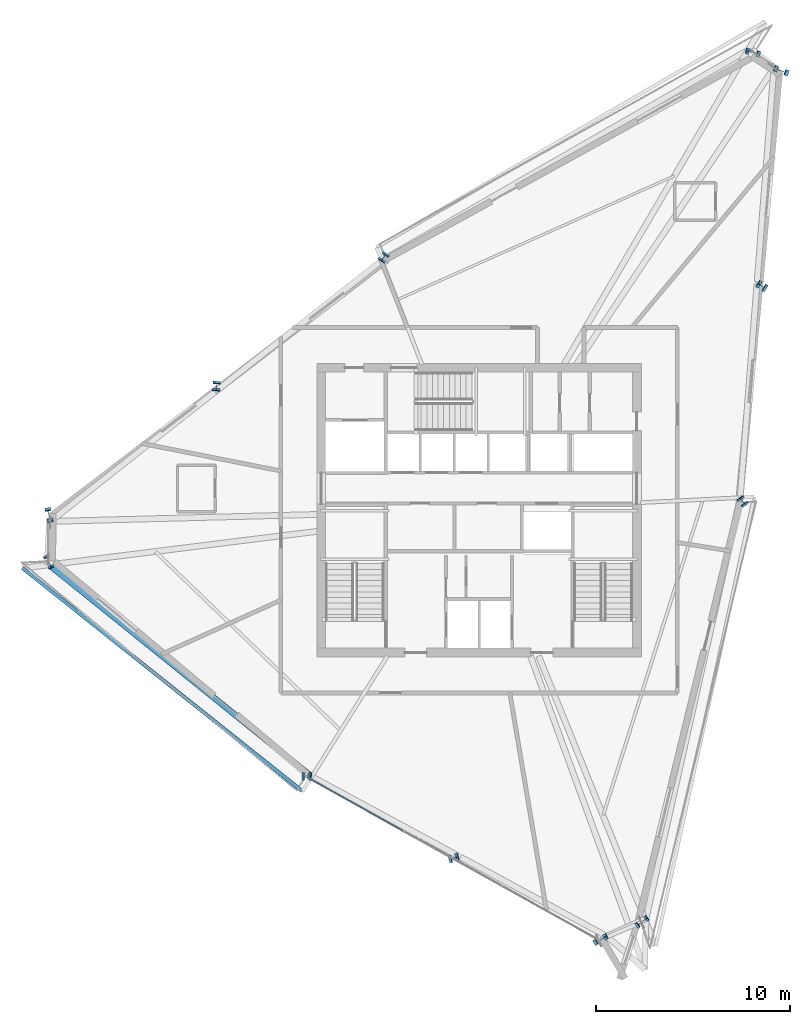
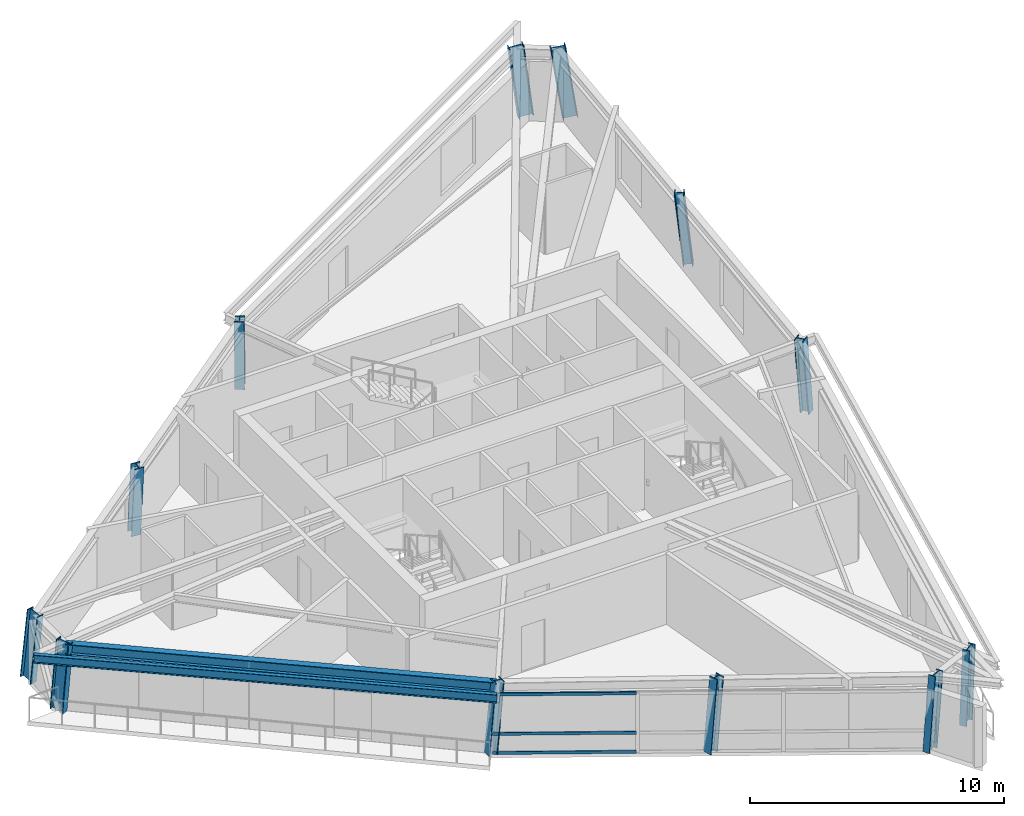
# One storey, part 1 of 13: 12 columns, 3 members, 2 beams, 1 element without a shape of its own.
"""IFC4 building model written with IfcOpenShell, lengths in metres."""

from ifc_helpers import new_model, si_unit, direction, frame, origin, origin_2d, place, context, subcontext, project, spatial, hollow_rectangle, i_section, extrude, source, transform, mapped, material, material_profile, profile_set, type_object, element, aggregate, save


model = new_model("IFC4")

# Units and contexts
model_context = context("Model", 3, precision=1e-05, world=origin(), true_north=direction((0.0, 1.0)))
body_context = subcontext(model_context, "Body", "Model", "MODEL_VIEW")
ifc_project = project(units=[si_unit("LENGTHUNIT", "METRE"), si_unit("AREAUNIT", "SQUARE_METRE"), si_unit("VOLUMEUNIT", "CUBIC_METRE"), si_unit("PLANEANGLEUNIT", "RADIAN"), si_unit("MASSUNIT", "GRAM", prefix="KILO")], contexts=[model_context])

# Site, building, storey
site_placement = place(None, origin())
site = spatial("IfcSite", under=ifc_project, at=site_placement, CompositionType="ELEMENT")
building_placement = place(site_placement, origin())
building = spatial("IfcBuilding", under=site, at=building_placement, Name="Olszyna Solenne Hotel", CompositionType="ELEMENT")
storey_placement = place(building_placement, frame((0.0, 0.0, 266.89990234375)))
storey = spatial("IfcBuildingStorey", under=building, at=storey_placement, Name="L71", CompositionType="ELEMENT", Elevation=266.89990234375)

# Columns
ifc_material_1 = material(Name="Steel S460M", Category="steel")
ifc_material_profile_1 = material_profile(ifc_material_1, i_section(OverallWidth=0.304931640625, OverallDepth=0.6201171875, WebThickness=0.02099609375, FlangeThickness=0.0400390625, at=origin_2d()), Name="HEM 600", Category="load-bearing")
ifc_profile_set_1 = profile_set([ifc_material_profile_1], Name="Steel S460M")
column_type_1 = type_object("IfcColumnType", Name="COL-K3", PredefinedType="COLUMN", material=ifc_profile_set_1)
shared_shape_1 = source(origin(), body_context, "Body", "SweptSolid", [
    extrude(i_section(OverallWidth=0.304931640625, OverallDepth=0.6201171875, WebThickness=0.02099609375, FlangeThickness=0.0400390625, at=origin_2d()), origin(), (0.0, 0.0, 1.0), 3.4697265625),
])
column_1_placement = place(storey_placement, frame((53.628173828125, 49.177490234375, 0.0), z_axis=(-0.131930948894, 0.049746763129, 0.990009840498), x_axis=(-0.352818220088, -0.935691884957, 0.0)))
element("IfcColumn", 1, at=column_1_placement, inside=storey, type_object=column_type_1, Name="Perimeter framed-tube column COL-K3 C-L71-01", PredefinedType="COLUMN", context=body_context, shape_type="MappedRepresentation", body=[
    mapped(shared_shape_1, transform((0.0, 0.0, 0.0), x_axis=(1.0, 0.0, 0.0), y_axis=(0.0, 1.0, 0.0), z_axis=(0.0, 0.0, 1.0), scale=1.0)),
])
shared_shape_2 = source(origin(), body_context, "Body", "SweptSolid", [
    extrude(i_section(OverallWidth=0.304931640625, OverallDepth=0.6201171875, WebThickness=0.02099609375, FlangeThickness=0.0400390625, at=origin_2d()), origin(), (0.0, 0.0, 1.0), 3.44775390625),
])
column_2_placement = place(storey_placement, frame((15.831298828125, 23.994140625, 0.0), z_axis=(0.036256323358, -0.077398752793, 0.996340761026), x_axis=(0.90556835757, 0.42420036512, 0.0)))
element("IfcColumn", 2, at=column_2_placement, inside=storey, type_object=column_type_1, Name="Perimeter framed-tube column COL-K3 C-L71-06", PredefinedType="COLUMN", context=body_context, shape_type="MappedRepresentation", body=[
    mapped(shared_shape_2, transform((0.0, 0.0, 0.0), x_axis=(1.0, 0.0, 0.0), y_axis=(0.0, 1.0, 0.0), z_axis=(0.0, 0.0, 1.0), scale=1.0)),
])
ifc_material_profile_2 = material_profile(ifc_material_1, i_section(OverallWidth=0.40087890625, OverallDepth=0.39892578125, WebThickness=0.02197265625, FlangeThickness=0.034423828125, at=origin_2d()), Name="HD 400x314", Category="load-bearing")
ifc_profile_set_2 = profile_set([ifc_material_profile_2], Name="Steel S460M")
column_type_2 = type_object("IfcColumnType", Name="COL-T5", PredefinedType="COLUMN", material=ifc_profile_set_2)
shared_shape_3 = source(origin(), body_context, "Body", "SweptSolid", [
    extrude(i_section(OverallWidth=0.40087890625, OverallDepth=0.39892578125, WebThickness=0.02197265625, FlangeThickness=0.034423828125, at=origin_2d()), origin(), (0.0, 0.0, 1.0), 3.44873046875),
])
column_3_placement = place(storey_placement, frame((24.4912109375, 33.034423828125, 0.0), z_axis=(-0.008211715647, -0.088700687123, 0.996024475518), x_axis=(0.995742024997, -0.092183619234, 0.0)))
element("IfcColumn", 3, at=column_3_placement, inside=storey, type_object=column_type_2, Name="Perimeter framed-tube column COL-T5 C-L71-04", PredefinedType="COLUMN", context=body_context, shape_type="MappedRepresentation", body=[
    mapped(shared_shape_3, transform((0.0, 0.0, 0.0), x_axis=(1.0, 0.0, 0.0), y_axis=(0.0, 1.0, 0.0), z_axis=(0.0, 0.0, 1.0), scale=1.0)),
])
shared_shape_4 = source(origin(), body_context, "Body", "SweptSolid", [
    extrude(i_section(OverallWidth=0.304931640625, OverallDepth=0.6201171875, WebThickness=0.02099609375, FlangeThickness=0.0400390625, at=origin_2d()), origin(), (0.0, 0.0, 1.0), 3.449462890625),
])
column_4_placement = place(storey_placement, frame((46.339599609375, 5.3896484375, 0.0), z_axis=(0.072476279359, 0.055206540918, 0.995841065015), x_axis=(-0.605949586805, 0.795503047292, 0.0)))
element("IfcColumn", 4, at=column_4_placement, inside=storey, type_object=column_type_1, Name="Perimeter framed-tube column COL-K3 C-L71-10", PredefinedType="COLUMN", context=body_context, shape_type="MappedRepresentation", body=[
    mapped(shared_shape_4, transform((0.0, 0.0, 0.0), x_axis=(1.0, 0.0, 0.0), y_axis=(0.0, 1.0, 0.0), z_axis=(0.0, 0.0, 1.0), scale=1.0)),
])
shared_shape_5 = source(origin(), body_context, "Body", "SweptSolid", [
    extrude(i_section(OverallWidth=0.40087890625, OverallDepth=0.39892578125, WebThickness=0.02197265625, FlangeThickness=0.034423828125, at=origin_2d()), origin(), (0.0, 0.0, 1.0), 3.445068359375),
])
column_5_placement = place(storey_placement, frame((51.585205078125, 27.01708984375, 0.0), z_axis=(-0.043442434865, 0.062151737972, 0.997120813302), x_axis=(-0.819626884118, -0.572897696653, 0.0)))
element("IfcColumn", 5, at=column_5_placement, inside=storey, type_object=column_type_2, Name="Perimeter framed-tube column COL-T5 C-L71-11", PredefinedType="COLUMN", context=body_context, shape_type="MappedRepresentation", body=[
    mapped(shared_shape_5, transform((0.0, 0.0, 0.0), x_axis=(1.0, 0.0, 0.0), y_axis=(0.0, 1.0, 0.0), z_axis=(0.0, 0.0, 1.0), scale=1.0)),
])
shared_shape_6 = source(origin(), body_context, "Body", "SweptSolid", [
    extrude(i_section(OverallWidth=0.304931640625, OverallDepth=0.6201171875, WebThickness=0.02099609375, FlangeThickness=0.0400390625, at=origin_2d()), origin(), (0.0, 0.0, 1.0), 3.45849609375),
])
column_6_placement = place(storey_placement, frame((52.158203125, 50.137451171875, 0.0), z_axis=(-0.112596064897, 0.028025478222, 0.993245537992), x_axis=(-0.241533430749, -0.970392498853, 0.0)))
element("IfcColumn", 6, at=column_6_placement, inside=storey, type_object=column_type_1, Name="Perimeter framed-tube column COL-K3 C-L71-02", PredefinedType="COLUMN", context=body_context, shape_type="MappedRepresentation", body=[
    mapped(shared_shape_6, transform((0.0, 0.0, 0.0), x_axis=(1.0, 0.0, 0.0), y_axis=(0.0, 1.0, 0.0), z_axis=(0.0, 0.0, 1.0), scale=1.0)),
])
shared_shape_7 = source(origin(), body_context, "Body", "SweptSolid", [
    extrude(i_section(OverallWidth=0.40087890625, OverallDepth=0.39892578125, WebThickness=0.02197265625, FlangeThickness=0.034423828125, at=origin_2d()), origin(), (0.0, 0.0, 1.0), 3.4443359375),
])
column_7_placement = place(storey_placement, frame((33.12158203125, 39.6416015625, 0.0), z_axis=(-0.041819185738, -0.060673259308, 0.997281259881), x_axis=(0.823367771866, -0.567508160515, 0.0)))
element("IfcColumn", 7, at=column_7_placement, inside=storey, type_object=column_type_2, Name="Perimeter framed-tube column COL-T5 C-L71-03", PredefinedType="COLUMN", context=body_context, shape_type="MappedRepresentation", body=[
    mapped(shared_shape_7, transform((0.0, 0.0, 0.0), x_axis=(1.0, 0.0, 0.0), y_axis=(0.0, 1.0, 0.0), z_axis=(0.0, 0.0, 1.0), scale=1.0)),
])
shared_shape_8 = source(origin(), body_context, "Body", "SweptSolid", [
    extrude(i_section(OverallWidth=0.304931640625, OverallDepth=0.6201171875, WebThickness=0.02099609375, FlangeThickness=0.0400390625, at=origin_2d()), origin(), (0.0, 0.0, 1.0), 3.459716796875),
])
column_8_placement = place(storey_placement, frame((15.86083984375, 26.42724609375, 0.0), z_axis=(0.025262966256, -0.116435459002, 0.992876914035), x_axis=(0.977261812504, 0.212036199319, 0.0)))
element("IfcColumn", 8, at=column_8_placement, inside=storey, type_object=column_type_1, Name="Perimeter framed-tube column COL-K3 C-L71-05", PredefinedType="COLUMN", context=body_context, shape_type="MappedRepresentation", body=[
    mapped(shared_shape_8, transform((0.0, 0.0, 0.0), x_axis=(1.0, 0.0, 0.0), y_axis=(0.0, 1.0, 0.0), z_axis=(0.0, 0.0, 1.0), scale=1.0)),
])
shared_shape_9 = source(origin(), body_context, "Body", "SweptSolid", [
    extrude(i_section(OverallWidth=0.40087890625, OverallDepth=0.39892578125, WebThickness=0.02197265625, FlangeThickness=0.034423828125, at=origin_2d()), origin(), (0.0, 0.0, 1.0), 3.448486328125),
])
column_9_placement = place(storey_placement, frame((29.0859375, 12.896728515625, 0.0), z_axis=(0.088141745555, -0.000212389748, 0.996107919646), x_axis=(0.002409631559, 0.999997096834, 0.0)))
element("IfcColumn", 9, at=column_9_placement, inside=storey, type_object=column_type_2, Name="Perimeter framed-tube column COL-T5 C-L71-07", PredefinedType="COLUMN", context=body_context, shape_type="MappedRepresentation", body=[
    mapped(shared_shape_9, transform((0.0, 0.0, 0.0), x_axis=(1.0, 0.0, 0.0), y_axis=(0.0, 1.0, 0.0), z_axis=(0.0, 0.0, 1.0), scale=1.0)),
])
shared_shape_10 = source(origin(), body_context, "Body", "SweptSolid", [
    extrude(i_section(OverallWidth=0.40087890625, OverallDepth=0.39892578125, WebThickness=0.02197265625, FlangeThickness=0.034423828125, at=origin_2d()), origin(), (0.0, 0.0, 1.0), 3.453857421875),
])
for number, where, z_axis, x_axis, name in (
    (10, (36.6337890625, 8.685302734375, 0.0), (0.099737899065, 0.03032427973, 0.994551551982), (-0.290891784188, 0.956755961514, 0.0), "Perimeter framed-tube column COL-T5 C-L71-08"),
    (11, (52.606689453125, 38.097412109375, 0.0), (-0.087933725964, 0.055912843438, 0.994555887709), (-0.536568207746, -0.843856953776, 0.0), "Perimeter framed-tube column COL-T5 C-L71-12"),
):
    element("IfcColumn", number, at=place(storey_placement, frame(where, z_axis=z_axis, x_axis=x_axis)), inside=storey, type_object=column_type_2, Name=name, PredefinedType="COLUMN", context=body_context, shape_type="MappedRepresentation", body=[
        mapped(shared_shape_10, transform((0.0, 0.0, 0.0), x_axis=(1.0, 0.0, 0.0), y_axis=(0.0, 1.0, 0.0), z_axis=(0.0, 0.0, 1.0), scale=1.0)),
    ])
shared_shape_11 = source(origin(), body_context, "Body", "SweptSolid", [
    extrude(i_section(OverallWidth=0.304931640625, OverallDepth=0.6201171875, WebThickness=0.02099609375, FlangeThickness=0.0400390625, at=origin_2d()), origin(), (0.0, 0.0, 1.0), 3.462890625),
])
column_10_placement = place(storey_placement, frame((44.181884765625, 4.473876953125, 0.0), z_axis=(0.111110442857, 0.060631333031, 0.991956809011), x_axis=(-0.479008221183, 0.877810414633, 0.0)))
element("IfcColumn", 12, at=column_10_placement, inside=storey, type_object=column_type_1, Name="Perimeter framed-tube column COL-K3 C-L71-09", PredefinedType="COLUMN", context=body_context, shape_type="MappedRepresentation", body=[
    mapped(shared_shape_11, transform((0.0, 0.0, 0.0), x_axis=(1.0, 0.0, 0.0), y_axis=(0.0, 1.0, 0.0), z_axis=(0.0, 0.0, 1.0), scale=1.0)),
])

# Beams
ifc_material_2 = material(Name="Steel S355J2", Category="steel")
ifc_material_profile_3 = material_profile(ifc_material_2, i_section(OverallWidth=0.300048828125, OverallDepth=0.5, WebThickness=0.014404296875, FlangeThickness=0.028076171875, at=origin_2d()), Name="HEB 500", Category="load-bearing")
ifc_profile_set_3 = profile_set([ifc_material_profile_3], Name="Steel S355J2")
beam_type_1 = type_object("IfcBeamType", Name="BM-S3", PredefinedType="BEAM", material=ifc_profile_set_3)
shared_shape_12 = source(origin(), body_context, "Body", "SweptSolid", [
    extrude(i_section(OverallWidth=0.300048828125, OverallDepth=0.5, WebThickness=0.014404296875, FlangeThickness=0.028076171875, at=origin_2d()), origin(), (0.0, 0.0, 1.0), 17.13623046875),
])
beam_1_placement = place(storey_placement, frame((16.0029296875, 23.689697265625, 3.130126953125), z_axis=(0.778483550833, -0.627665007055, 0.0), x_axis=(0.627665007055, 0.778483550833, 0.0)))
element("IfcBeam", 13, at=beam_1_placement, inside=storey, type_object=beam_type_1, Name="Perimeter spandrel beam BM-S3 B-L71-2087", PredefinedType="BEAM", context=body_context, shape_type="MappedRepresentation", body=[
    mapped(shared_shape_12, transform((0.0, 0.0, 0.0), x_axis=(1.0, 0.0, 0.0), y_axis=(0.0, 1.0, 0.0), z_axis=(0.0, 0.0, 1.0), scale=1.0)),
])
ifc_material_profile_4 = material_profile(ifc_material_2, i_section(OverallWidth=0.179931640625, OverallDepth=0.39990234375, WebThickness=0.008544921875, FlangeThickness=0.013427734375, at=origin_2d()), Name="IPE 400", Category="load-bearing")
ifc_profile_set_4 = profile_set([ifc_material_profile_4], Name="Steel S355J2")
beam_type_2 = type_object("IfcBeamType", Name="BM-F5", PredefinedType="BEAM", material=ifc_profile_set_4)
shared_shape_13 = source(origin(), body_context, "Body", "SweptSolid", [
    extrude(i_section(OverallWidth=0.179931640625, OverallDepth=0.39990234375, WebThickness=0.008544921875, FlangeThickness=0.013427734375, at=origin_2d()), origin(), (0.0, 0.0, 1.0), 18.4248046875),
])
beam_2_placement = place(storey_placement, frame((14.50830078125, 23.6220703125, 3.18017578125), z_axis=(0.782097996273, -0.623155457512, 0.0), x_axis=(0.623155457512, 0.782097996273, 0.0)))
element("IfcBeam", 14, at=beam_2_placement, inside=storey, type_object=beam_type_2, Name="Loggia outer edge beam BM-F5 B-L71-2109", PredefinedType="BEAM", context=body_context, shape_type="MappedRepresentation", body=[
    mapped(shared_shape_13, transform((0.0, 0.0, 0.0), x_axis=(1.0, 0.0, 0.0), y_axis=(0.0, 1.0, 0.0), z_axis=(0.0, 0.0, 1.0), scale=1.0)),
])

# Curtain wall, members
ifc_material_3 = material(Name="Anodised bronze aluminium", Category="aluminium")
curtain_wall_type = type_object("IfcCurtainWallType", Name="CW-SYS-4", PredefinedType="NOTDEFINED", material=ifc_material_3)
curtain_wall_placement = place(storey_placement, origin())
curtain_wall = element("IfcCurtainWall", 15, at=curtain_wall_placement, inside=storey, type_object=curtain_wall_type, Name="Unitised curtain wall CW-SYS-4 CW-L71-01", PredefinedType="NOTDEFINED")
ifc_material_profile_5 = material_profile(ifc_material_3, hollow_rectangle(XDim=0.06494140625, YDim=0.139892578125, WallThickness=0.00390625, at=origin_2d()), Name="TRAN 140x65x4", Category="load-bearing")
ifc_profile_set_5 = profile_set([ifc_material_profile_5], Name="Anodised bronze aluminium")
member_type = type_object("IfcMemberType", Name="CW-T2", PredefinedType="USERDEFINED", material=ifc_profile_set_5)
shared_shape_14 = source(origin(), body_context, "Body", "SweptSolid", [
    extrude(hollow_rectangle(XDim=0.06494140625, YDim=0.139892578125, WallThickness=0.00390625, at=origin_2d()), origin(), (0.0, 0.0, 1.0), 5.6650390625),
])
member_1_placement = place(storey_placement, frame((29.142578125, 12.865234375, 0.03271484375), z_axis=(0.873263378407, -0.487248470427, 0.0), x_axis=(0.487248470427, 0.873263378407, 0.0)))
member_1 = element("IfcMember", 16, at=member_1_placement, type_object=member_type, Name="Curtain-wall transom CW-T2 CT-L71-01-01", ObjectType="TRANSOM", PredefinedType="USERDEFINED", context=body_context, shape_type="MappedRepresentation", body=[
    mapped(shared_shape_14, transform((0.0, 0.0, 0.0), x_axis=(1.0, 0.0, 0.0), y_axis=(0.0, 1.0, 0.0), z_axis=(0.0, 0.0, 1.0), scale=1.0)),
])
member_2_placement = place(storey_placement, frame((29.142578125, 12.865234375, 0.9501953125), z_axis=(0.873263378407, -0.487248470427, 0.0), x_axis=(0.487248470427, 0.873263378407, 0.0)))
member_2 = element("IfcMember", 17, at=member_2_placement, type_object=member_type, Name="Curtain-wall transom CW-T2 CT-L71-01-02", ObjectType="TRANSOM", PredefinedType="USERDEFINED", context=body_context, shape_type="MappedRepresentation", body=[
    mapped(shared_shape_14, transform((0.0, 0.0, 0.0), x_axis=(1.0, 0.0, 0.0), y_axis=(0.0, 1.0, 0.0), z_axis=(0.0, 0.0, 1.0), scale=1.0)),
])
member_3_placement = place(storey_placement, frame((29.142578125, 12.865234375, 2.839599609375), z_axis=(0.873263378407, -0.487248470427, 0.0), x_axis=(0.487248470427, 0.873263378407, 0.0)))
member_3 = element("IfcMember", 18, at=member_3_placement, type_object=member_type, Name="Curtain-wall transom CW-T2 CT-L71-01-03", ObjectType="TRANSOM", PredefinedType="USERDEFINED", context=body_context, shape_type="MappedRepresentation", body=[
    mapped(shared_shape_14, transform((0.0, 0.0, 0.0), x_axis=(1.0, 0.0, 0.0), y_axis=(0.0, 1.0, 0.0), z_axis=(0.0, 0.0, 1.0), scale=1.0)),
])
aggregate(curtain_wall, [member_1, member_2, member_3])

save(model, "model.ifc")
